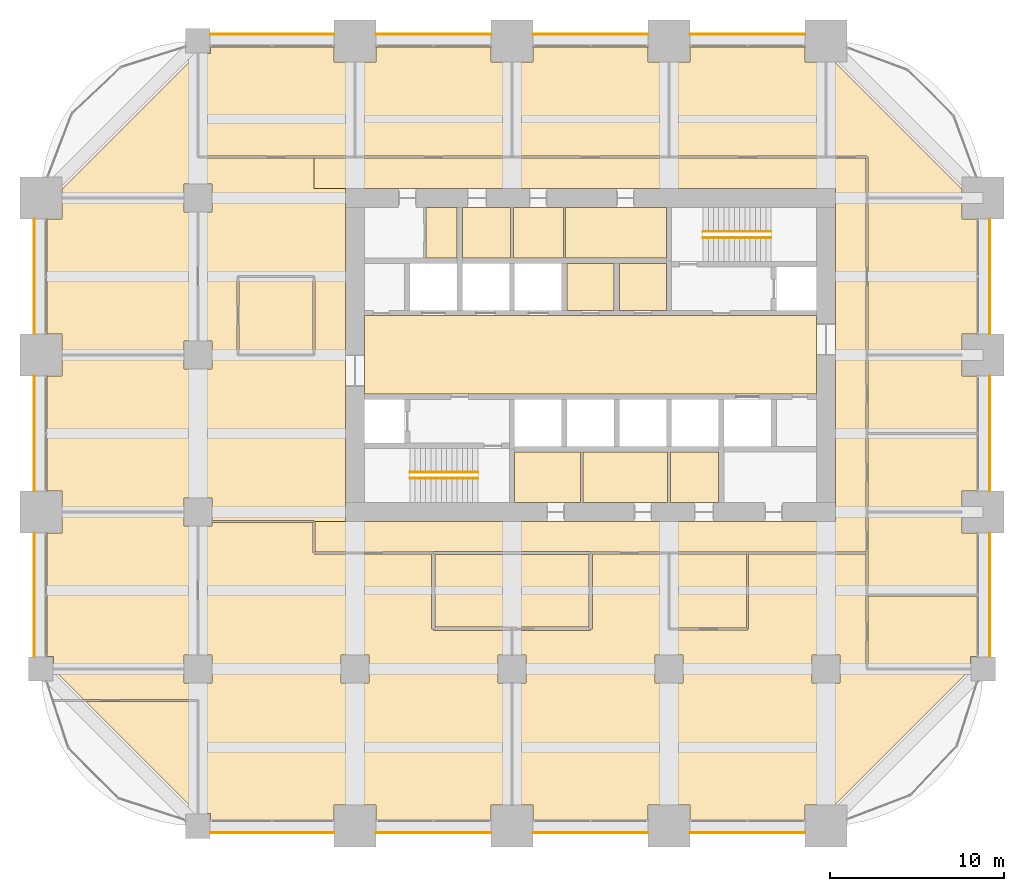
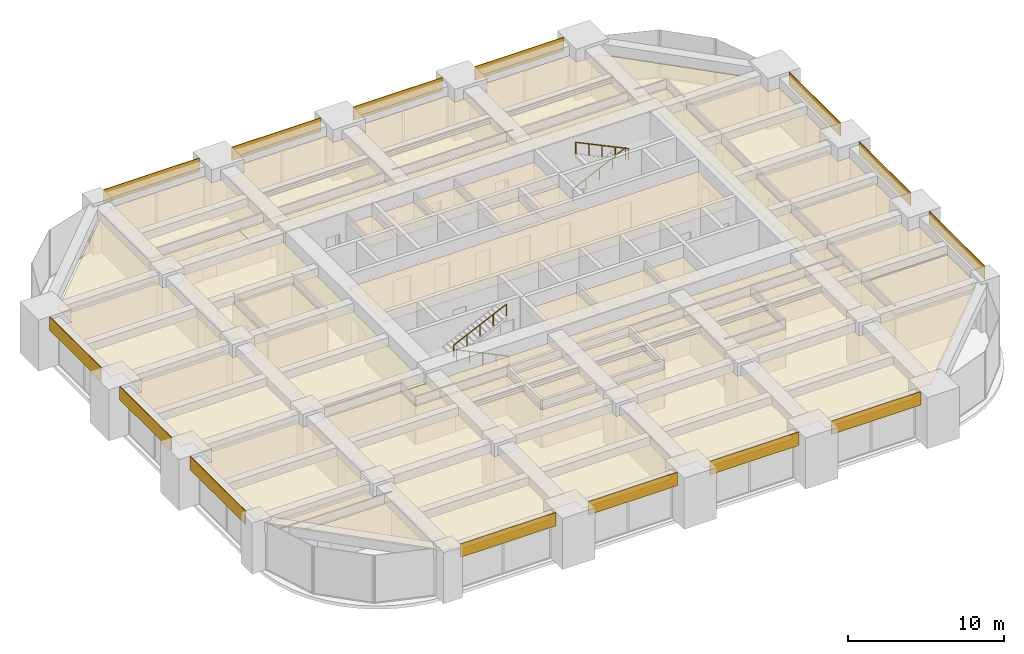
# One storey, part 32 of 32: 44 coverings, 4 railings.
"""IFC4 building model written with IfcOpenShell, lengths in metres."""

from ifc_helpers import new_model, si_unit, direction, frame, frame_2d, origin, origin_2d, place, context, subcontext, project, spatial, polyline, rectangle, circle, outline, extrude, material, layer, layer_set, type_object, element, save


model = new_model("IFC4")

# Units and contexts
model_context = context("Model", 3, precision=1e-05, world=origin(), true_north=direction((0.0, 1.0)))
body_context = subcontext(model_context, "Body", "Model", "MODEL_VIEW")
ifc_project = project(units=[si_unit("LENGTHUNIT", "METRE"), si_unit("AREAUNIT", "SQUARE_METRE"), si_unit("VOLUMEUNIT", "CUBIC_METRE"), si_unit("PLANEANGLEUNIT", "RADIAN"), si_unit("MASSUNIT", "GRAM", prefix="KILO")], contexts=[model_context])

# Site, building, storey
site_placement = place(None, origin())
site = spatial("IfcSite", under=ifc_project, at=site_placement, CompositionType="ELEMENT")
building_placement = place(site_placement, origin())
building = spatial("IfcBuilding", under=site, at=building_placement, Name="Zorevar Civic Tower", CompositionType="ELEMENT")
storey_placement = place(building_placement, frame((0.0, 0.0, 190.199951171875)))
storey = spatial("IfcBuildingStorey", under=building, at=storey_placement, Name="L46", CompositionType="ELEMENT", Elevation=190.199951171875)

# Railings
ifc_material_1 = material(Name="Black steel handrail", Category="steel")
railing_type = type_object("IfcRailingType", Name="Handrail HR1 900", PredefinedType="HANDRAIL", material=ifc_material_1)
railing_1_placement = place(storey_placement, frame((25.050048828125, 19.925048828125, 0.142822265625)))
element("IfcRailing", 1, at=railing_1_placement, inside=storey, type_object=railing_type, Name="Handrail HR1 ST1 L46", PredefinedType="HANDRAIL", context=body_context, shape_type="SweptSolid", body=[
    extrude(circle(Radius=0.02392578125, at=origin_2d()), frame((0.0, 0.0, 0.8759765625), z_axis=(-0.902863652845, 0.0, 0.429926998885), x_axis=(0.0, -1.0, 0.0)), (0.0, 0.0, 1.0), 4.31982421875),
    extrude(circle(Radius=0.02099609375, at=origin_2d()), origin(), (0.0, 0.0, 1.0), 0.851806640625),
    extrude(circle(Radius=0.02099609375, at=origin_2d()), frame((-0.97509765625, 0.0, 0.46435546875)), (0.0, 0.0, 1.0), 0.851806640625),
    extrude(circle(Radius=0.02099609375, at=origin_2d()), frame((-1.9501953125, 0.0, 0.9287109375)), (0.0, 0.0, 1.0), 0.851806640625),
    extrude(circle(Radius=0.02099609375, at=origin_2d()), frame((-2.925048828125, 0.0, 1.392822265625)), (0.0, 0.0, 1.0), 0.851806640625),
    extrude(circle(Radius=0.02099609375, at=origin_2d()), frame((-3.900146484375, 0.0, 1.857177734375)), (0.0, 0.0, 1.0), 0.851806640625),
])
for number, where, name in (
    (2, (21.14990234375, 20.27490234375, 2.142822265625), "Handrail HR1 ST1 L46"),
    (3, (37.949951171875, 34.074951171875, 0.142822265625), "Handrail HR1 ST2 L46"),
):
    element("IfcRailing", number, at=place(storey_placement, frame(where)), inside=storey, type_object=railing_type, Name=name, PredefinedType="HANDRAIL", context=body_context, shape_type="SweptSolid", body=[
        extrude(circle(Radius=0.02392578125, at=origin_2d()), frame((0.0, 0.0, 0.8759765625), z_axis=(0.902863652845, 0.0, 0.429926998885), x_axis=(0.0, 1.0, 0.0)), (0.0, 0.0, 1.0), 4.31982421875),
        extrude(circle(Radius=0.02099609375, at=origin_2d()), origin(), (0.0, 0.0, 1.0), 0.851806640625),
        extrude(circle(Radius=0.02099609375, at=origin_2d()), frame((0.97509765625, 0.0, 0.46435546875)), (0.0, 0.0, 1.0), 0.851806640625),
        extrude(circle(Radius=0.02099609375, at=origin_2d()), frame((1.9501953125, 0.0, 0.9287109375)), (0.0, 0.0, 1.0), 0.851806640625),
        extrude(circle(Radius=0.02099609375, at=origin_2d()), frame((2.925048828125, 0.0, 1.392822265625)), (0.0, 0.0, 1.0), 0.851806640625),
        extrude(circle(Radius=0.02099609375, at=origin_2d()), frame((3.900146484375, 0.0, 1.857177734375)), (0.0, 0.0, 1.0), 0.851806640625),
    ])
railing_2_placement = place(storey_placement, frame((41.85009765625, 33.72509765625, 2.142822265625)))
element("IfcRailing", 4, at=railing_2_placement, inside=storey, type_object=railing_type, Name="Handrail HR1 ST2 L46", PredefinedType="HANDRAIL", context=body_context, shape_type="SweptSolid", body=[
    extrude(circle(Radius=0.02392578125, at=origin_2d()), frame((0.0, 0.0, 0.8759765625), z_axis=(-0.902863652845, 0.0, 0.429926998885), x_axis=(0.0, -1.0, 0.0)), (0.0, 0.0, 1.0), 4.31982421875),
    extrude(circle(Radius=0.02099609375, at=origin_2d()), origin(), (0.0, 0.0, 1.0), 0.851806640625),
    extrude(circle(Radius=0.02099609375, at=origin_2d()), frame((-0.97509765625, 0.0, 0.46435546875)), (0.0, 0.0, 1.0), 0.851806640625),
    extrude(circle(Radius=0.02099609375, at=origin_2d()), frame((-1.9501953125, 0.0, 0.9287109375)), (0.0, 0.0, 1.0), 0.851806640625),
    extrude(circle(Radius=0.02099609375, at=origin_2d()), frame((-2.925048828125, 0.0, 1.392822265625)), (0.0, 0.0, 1.0), 0.851806640625),
    extrude(circle(Radius=0.02099609375, at=origin_2d()), frame((-3.900146484375, 0.0, 1.857177734375)), (0.0, 0.0, 1.0), 0.851806640625),
])

# Coverings
ifc_material_2 = material(Name="Moisture-resistant gypsum board")
ifc_layer_1 = layer(ifc_material_2, 0.012451171875)
ifc_layer_set_1 = layer_set([ifc_layer_1], Name="Moisture-resistant ceiling SC3")
covering_type_1 = type_object("IfcCoveringType", Name="Moisture-resistant ceiling SC3", PredefinedType="CEILING", material=ifc_layer_set_1)
covering_1_placement = place(storey_placement, frame((0.0, 0.0, 3.0)))
element("IfcCovering", 5, at=covering_1_placement, inside=storey, type_object=covering_type_1, Name="Ceiling L46-05", PredefinedType="CEILING", context=body_context, shape_type="SweptSolid", body=[
    extrude(outline(polyline([(30.925048828125, 18.550048828125), (30.925048828125, 21.449951171875), (27.14990234375, 21.449951171875), (27.14990234375, 18.550048828125), (30.925048828125, 18.550048828125)])), origin(), (0.0, 0.0, 1.0), 0.012451171875),
])
covering_2_placement = place(storey_placement, frame((0.0, 0.0, 3.0)))
element("IfcCovering", 6, at=covering_2_placement, inside=storey, type_object=covering_type_1, Name="Ceiling L46-06", PredefinedType="CEILING", context=body_context, shape_type="SweptSolid", body=[
    extrude(outline(polyline([(35.925048828125, 18.550048828125), (35.925048828125, 21.449951171875), (31.074951171875, 21.449951171875), (31.074951171875, 18.550048828125), (35.925048828125, 18.550048828125)])), origin(), (0.0, 0.0, 1.0), 0.012451171875),
])
covering_3_placement = place(storey_placement, frame((0.0, 0.0, 3.0)))
element("IfcCovering", 7, at=covering_3_placement, inside=storey, type_object=covering_type_1, Name="Ceiling L46-07", PredefinedType="CEILING", context=body_context, shape_type="SweptSolid", body=[
    extrude(outline(polyline([(38.85009765625, 18.550048828125), (38.85009765625, 21.449951171875), (36.074951171875, 21.449951171875), (36.074951171875, 18.550048828125), (38.85009765625, 18.550048828125)])), origin(), (0.0, 0.0, 1.0), 0.012451171875),
])
covering_4_placement = place(storey_placement, frame((0.0, 0.0, 3.0)))
element("IfcCovering", 8, at=covering_4_placement, inside=storey, type_object=covering_type_1, Name="Ceiling L46-10", PredefinedType="CEILING", context=body_context, shape_type="SweptSolid", body=[
    extrude(outline(polyline([(26.925048828125, 32.550048828125), (26.925048828125, 35.449951171875), (24.14990234375, 35.449951171875), (24.14990234375, 32.550048828125), (26.925048828125, 32.550048828125)])), origin(), (0.0, 0.0, 1.0), 0.012451171875),
])
ifc_material_3 = material(Name="Black anodised aluminium spandrel panel", Category="aluminium")
ifc_layer_2 = layer(ifc_material_3, 0.050048828125)
ifc_layer_set_2 = layer_set([ifc_layer_2], Name="Spandrel cladding SP1")
covering_type_2 = type_object("IfcCoveringType", Name="Spandrel cladding SP1", PredefinedType="CLADDING", material=ifc_layer_set_2)
covering_5_placement = place(storey_placement, frame((9.699951171875, -0.375, 2.949951171875), z_axis=(0.0, 0.0, 1.0), x_axis=(1.0, 0.0, 0.0)))
element("IfcCovering", 9, at=covering_5_placement, inside=storey, type_object=covering_type_2, Name="Spandrel cladding L47", PredefinedType="CLADDING", context=body_context, shape_type="SweptSolid", body=[
    extrude(rectangle(XDim=7.10009765625, YDim=0.050048828125, at=frame_2d((3.550048828125, 0.0))), origin(), (0.0, 0.0, 1.0), 1.050048828125),
])
for number, where, z_axis, x_axis, name in (
    (10, (19.199951171875, -0.375, 2.949951171875), (0.0, 0.0, 1.0), (1.0, 0.0, 0.0), "Spandrel cladding L47"),
    (11, (28.199951171875, -0.375, 2.949951171875), (0.0, 0.0, 1.0), (1.0, 0.0, 0.0), "Spandrel cladding L47"),
    (12, (37.199951171875, -0.375, 2.949951171875), (0.0, 0.0, 1.0), (1.0, 0.0, 0.0), "Spandrel cladding L47"),
):
    element("IfcCovering", number, at=place(storey_placement, frame(where, z_axis=z_axis, x_axis=x_axis)), inside=storey, type_object=covering_type_2, Name=name, PredefinedType="CLADDING", context=body_context, shape_type="SweptSolid", body=[
        extrude(rectangle(XDim=6.60009765625, YDim=0.050048828125, at=frame_2d((3.300048828125, 0.0))), origin(), (0.0, 0.0, 1.0), 1.050048828125),
    ])
covering_6_placement = place(storey_placement, frame((9.699951171875, 45.375, 2.949951171875), z_axis=(0.0, 0.0, 1.0), x_axis=(1.0, 0.0, 0.0)))
element("IfcCovering", 13, at=covering_6_placement, inside=storey, type_object=covering_type_2, Name="Spandrel cladding L47", PredefinedType="CLADDING", context=body_context, shape_type="SweptSolid", body=[
    extrude(rectangle(XDim=7.10009765625, YDim=0.050048828125, at=frame_2d((3.550048828125, 0.0))), origin(), (0.0, 0.0, 1.0), 1.050048828125),
])
for number, where, z_axis, x_axis, name in (
    (14, (19.199951171875, 45.375, 2.949951171875), (0.0, 0.0, 1.0), (1.0, 0.0, 0.0), "Spandrel cladding L47"),
    (15, (28.199951171875, 45.375, 2.949951171875), (0.0, 0.0, 1.0), (1.0, 0.0, 0.0), "Spandrel cladding L47"),
    (16, (37.199951171875, 45.375, 2.949951171875), (0.0, 0.0, 1.0), (1.0, 0.0, 0.0), "Spandrel cladding L47"),
):
    element("IfcCovering", number, at=place(storey_placement, frame(where, z_axis=z_axis, x_axis=x_axis)), inside=storey, type_object=covering_type_2, Name=name, PredefinedType="CLADDING", context=body_context, shape_type="SweptSolid", body=[
        extrude(rectangle(XDim=6.60009765625, YDim=0.050048828125, at=frame_2d((3.300048828125, 0.0))), origin(), (0.0, 0.0, 1.0), 1.050048828125),
    ])
covering_7_placement = place(storey_placement, frame((-0.375, 9.699951171875, 2.949951171875), z_axis=(0.0, 0.0, 1.0), x_axis=(0.0, 1.0, 0.0)))
element("IfcCovering", 17, at=covering_7_placement, inside=storey, type_object=covering_type_2, Name="Spandrel cladding L47", PredefinedType="CLADDING", context=body_context, shape_type="SweptSolid", body=[
    extrude(rectangle(XDim=7.10009765625, YDim=0.050048828125, at=frame_2d((3.550048828125, 0.0))), origin(), (0.0, 0.0, 1.0), 1.050048828125),
])
for number, where, z_axis, x_axis, name in (
    (18, (-0.375, 19.199951171875, 2.949951171875), (0.0, 0.0, 1.0), (0.0, 1.0, 0.0), "Spandrel cladding L47"),
    (19, (-0.375, 28.199951171875, 2.949951171875), (0.0, 0.0, 1.0), (0.0, 1.0, 0.0), "Spandrel cladding L47"),
):
    element("IfcCovering", number, at=place(storey_placement, frame(where, z_axis=z_axis, x_axis=x_axis)), inside=storey, type_object=covering_type_2, Name=name, PredefinedType="CLADDING", context=body_context, shape_type="SweptSolid", body=[
        extrude(rectangle(XDim=6.60009765625, YDim=0.050048828125, at=frame_2d((3.300048828125, 0.0))), origin(), (0.0, 0.0, 1.0), 1.050048828125),
    ])
covering_8_placement = place(storey_placement, frame((54.375, 9.699951171875, 2.949951171875), z_axis=(0.0, 0.0, 1.0), x_axis=(0.0, 1.0, 0.0)))
element("IfcCovering", 20, at=covering_8_placement, inside=storey, type_object=covering_type_2, Name="Spandrel cladding L47", PredefinedType="CLADDING", context=body_context, shape_type="SweptSolid", body=[
    extrude(rectangle(XDim=7.10009765625, YDim=0.050048828125, at=frame_2d((3.550048828125, 0.0))), origin(), (0.0, 0.0, 1.0), 1.050048828125),
])
for number, where, z_axis, x_axis, name in (
    (21, (54.375, 19.199951171875, 2.949951171875), (0.0, 0.0, 1.0), (0.0, 1.0, 0.0), "Spandrel cladding L47"),
    (22, (54.375, 28.199951171875, 2.949951171875), (0.0, 0.0, 1.0), (0.0, 1.0, 0.0), "Spandrel cladding L47"),
):
    element("IfcCovering", number, at=place(storey_placement, frame(where, z_axis=z_axis, x_axis=x_axis)), inside=storey, type_object=covering_type_2, Name=name, PredefinedType="CLADDING", context=body_context, shape_type="SweptSolid", body=[
        extrude(rectangle(XDim=6.60009765625, YDim=0.050048828125, at=frame_2d((3.300048828125, 0.0))), origin(), (0.0, 0.0, 1.0), 1.050048828125),
    ])
ifc_material_4 = material(Name="Mineral fibre tiles on a concealed grid")
ifc_layer_3 = layer(ifc_material_4, 0.02001953125)
ifc_layer_set_3 = layer_set([ifc_layer_3], Name="Suspended ceiling SC1")
covering_type_3 = type_object("IfcCoveringType", Name="Suspended ceiling SC1", PredefinedType="CEILING", material=ifc_layer_set_3)
covering_9_placement = place(storey_placement, frame((0.0, 0.0, 3.0)))
element("IfcCovering", 23, at=covering_9_placement, inside=storey, type_object=covering_type_3, Name="Ceiling L46-08", PredefinedType="CEILING", context=body_context, shape_type="SweptSolid", body=[
    extrude(outline(polyline([(35.85009765625, 32.550048828125), (35.85009765625, 35.449951171875), (30.06005859375, 35.449951171875), (30.06005859375, 32.550048828125), (35.85009765625, 32.550048828125)])), origin(), (0.0, 0.0, 1.0), 0.02001953125),
])
covering_10_placement = place(storey_placement, frame((0.0, 0.0, 3.0)))
element("IfcCovering", 24, at=covering_10_placement, inside=storey, type_object=covering_type_3, Name="Ceiling L46-09", PredefinedType="CEILING", context=body_context, shape_type="SweptSolid", body=[
    extrude(outline(polyline([(29.93994140625, 32.550048828125), (29.93994140625, 35.449951171875), (27.074951171875, 35.449951171875), (27.074951171875, 32.550048828125), (29.93994140625, 32.550048828125)])), origin(), (0.0, 0.0, 1.0), 0.02001953125),
])
covering_11_placement = place(storey_placement, frame((0.0, 0.0, 3.0)))
element("IfcCovering", 25, at=covering_11_placement, inside=storey, type_object=covering_type_3, Name="Ceiling L46-12", PredefinedType="CEILING", context=body_context, shape_type="SweptSolid", body=[
    extrude(outline(polyline([(23.85009765625, 32.550048828125), (23.85009765625, 35.449951171875), (22.06005859375, 35.449951171875), (22.06005859375, 32.550048828125), (23.85009765625, 32.550048828125)])), origin(), (0.0, 0.0, 1.0), 0.02001953125),
])
covering_12_placement = place(storey_placement, frame((0.0, 0.0, 3.0)))
element("IfcCovering", 26, at=covering_12_placement, inside=storey, type_object=covering_type_3, Name="Ceiling L46-16", PredefinedType="CEILING", context=body_context, shape_type="SweptSolid", body=[
    extrude(outline(polyline([(44.449951171875, 24.75), (44.449951171875, 29.25), (18.550048828125, 29.25), (18.550048828125, 24.75), (44.449951171875, 24.75)])), origin(), (0.0, 0.0, 1.0), 0.02001953125),
])
covering_13_placement = place(storey_placement, frame((0.0, 0.0, 3.0)))
element("IfcCovering", 27, at=covering_13_placement, inside=storey, type_object=covering_type_3, Name="Ceiling L46-17", PredefinedType="CEILING", context=body_context, shape_type="SweptSolid", body=[
    extrude(outline(polyline([(35.85009765625, 29.550048828125), (35.85009765625, 32.25), (33.14990234375, 32.25), (33.14990234375, 29.550048828125), (35.85009765625, 29.550048828125)])), origin(), (0.0, 0.0, 1.0), 0.02001953125),
])
covering_14_placement = place(storey_placement, frame((0.0, 0.0, 3.0)))
element("IfcCovering", 28, at=covering_14_placement, inside=storey, type_object=covering_type_3, Name="Ceiling L46-18", PredefinedType="CEILING", context=body_context, shape_type="SweptSolid", body=[
    extrude(outline(polyline([(32.85009765625, 29.550048828125), (32.85009765625, 32.25), (30.14990234375, 32.25), (30.14990234375, 29.550048828125), (32.85009765625, 29.550048828125)])), origin(), (0.0, 0.0, 1.0), 0.02001953125),
])
covering_15_placement = place(storey_placement, frame((0.0, 0.0, 3.0)))
element("IfcCovering", 29, at=covering_15_placement, inside=storey, type_object=covering_type_3, Name="Ceiling L46-19", PredefinedType="CEILING", context=body_context, shape_type="SweptSolid", body=[
    extrude(outline(polyline([(47.409912109375, 13.18994140625), (53.64990234375, 13.18994140625), (53.64990234375, 9.7099609375), (53.2900390625, 9.7099609375), (53.2900390625, 9.06005859375), (47.409912109375, 9.06005859375), (47.409912109375, 13.18994140625)])), origin(), (0.0, 0.0, 1.0), 0.02001953125),
])
covering_16_placement = place(storey_placement, frame((0.0, 0.0, 3.0)))
element("IfcCovering", 30, at=covering_16_placement, inside=storey, type_object=covering_type_3, Name="Ceiling L46-20", PredefinedType="CEILING", context=body_context, shape_type="SweptSolid", body=[
    extrude(outline(polyline([(47.409912109375, 17.93994140625), (52.7900390625, 17.93994140625), (52.7900390625, 16.7900390625), (53.64990234375, 16.7900390625), (53.64990234375, 13.31005859375), (47.409912109375, 13.31005859375), (47.409912109375, 17.93994140625)])), origin(), (0.0, 0.0, 1.0), 0.02001953125),
])
covering_17_placement = place(storey_placement, frame((0.0, 0.0, 3.0)))
element("IfcCovering", 31, at=covering_17_placement, inside=storey, type_object=covering_type_3, Name="Ceiling L46-21", PredefinedType="CEILING", context=body_context, shape_type="SweptSolid", body=[
    extrude(outline(polyline([(47.409912109375, 22.43994140625), (53.64990234375, 22.43994140625), (53.64990234375, 19.2099609375), (52.7900390625, 19.2099609375), (52.7900390625, 18.06005859375), (47.409912109375, 18.06005859375), (47.409912109375, 22.43994140625)])), origin(), (0.0, 0.0, 1.0), 0.02001953125),
])
covering_18_placement = place(storey_placement, frame((0.0, 0.0, 3.0)))
element("IfcCovering", 32, at=covering_18_placement, inside=storey, type_object=covering_type_3, Name="Ceiling L46-22", PredefinedType="CEILING", context=body_context, shape_type="SweptSolid", body=[
    extrude(outline(polyline([(47.409912109375, 26.93994140625), (52.7900390625, 26.93994140625), (52.7900390625, 25.7900390625), (53.64990234375, 25.7900390625), (53.64990234375, 22.56005859375), (47.409912109375, 22.56005859375), (47.409912109375, 26.93994140625)])), origin(), (0.0, 0.0, 1.0), 0.02001953125),
])
covering_19_placement = place(storey_placement, frame((0.0, 0.0, 3.0)))
element("IfcCovering", 33, at=covering_19_placement, inside=storey, type_object=covering_type_3, Name="Ceiling L46-23", PredefinedType="CEILING", context=body_context, shape_type="SweptSolid", body=[
    extrude(outline(polyline([(53.64990234375, 28.2099609375), (52.7900390625, 28.2099609375), (52.7900390625, 27.06005859375), (47.409912109375, 27.06005859375), (47.409912109375, 35.93994140625), (52.7900390625, 35.93994140625), (52.7900390625, 34.7900390625), (53.64990234375, 34.7900390625), (53.64990234375, 28.2099609375)])), origin(), (0.0, 0.0, 1.0), 0.02001953125),
])
covering_20_placement = place(storey_placement, frame((0.0, 0.0, 3.0)))
element("IfcCovering", 34, at=covering_20_placement, inside=storey, type_object=covering_type_3, Name="Ceiling L46-24", PredefinedType="CEILING", context=body_context, shape_type="SweptSolid", body=[
    extrude(outline(polyline([(9.7099609375, 44.2900390625), (9.7099609375, 44.64990234375), (16.7900390625, 44.64990234375), (16.7900390625, 43.7900390625), (17.93994140625, 43.7900390625), (17.93994140625, 38.409912109375), (9.06005859375, 38.409912109375), (9.06005859375, 44.2900390625), (9.7099609375, 44.2900390625)])), origin(), (0.0, 0.0, 1.0), 0.02001953125),
])
covering_21_placement = place(storey_placement, frame((0.0, 0.0, 3.0)))
element("IfcCovering", 35, at=covering_21_placement, inside=storey, type_object=covering_type_3, Name="Ceiling L46-25", PredefinedType="CEILING", context=body_context, shape_type="SweptSolid", body=[
    extrude(outline(polyline([(19.2099609375, 43.7900390625), (19.2099609375, 44.64990234375), (25.7900390625, 44.64990234375), (25.7900390625, 43.7900390625), (26.93994140625, 43.7900390625), (26.93994140625, 38.409912109375), (18.06005859375, 38.409912109375), (18.06005859375, 43.7900390625), (19.2099609375, 43.7900390625)])), origin(), (0.0, 0.0, 1.0), 0.02001953125),
])
covering_22_placement = place(storey_placement, frame((0.0, 0.0, 3.0)))
element("IfcCovering", 36, at=covering_22_placement, inside=storey, type_object=covering_type_3, Name="Ceiling L46-26", PredefinedType="CEILING", context=body_context, shape_type="SweptSolid", body=[
    extrude(outline(polyline([(37.2099609375, 43.7900390625), (37.2099609375, 44.64990234375), (43.7900390625, 44.64990234375), (43.7900390625, 43.7900390625), (44.93994140625, 43.7900390625), (44.93994140625, 38.409912109375), (36.06005859375, 38.409912109375), (36.06005859375, 43.7900390625), (37.2099609375, 43.7900390625)])), origin(), (0.0, 0.0, 1.0), 0.02001953125),
])
covering_23_placement = place(storey_placement, frame((0.0, 0.0, 3.0)))
element("IfcCovering", 37, at=covering_23_placement, inside=storey, type_object=covering_type_3, Name="Ceiling L46-27", PredefinedType="CEILING", context=body_context, shape_type="SweptSolid", body=[
    extrude(outline(polyline([(22.60009765625, 15.550048828125), (31.39990234375, 15.550048828125), (31.39990234375, 11.39990234375), (22.60009765625, 11.39990234375), (22.60009765625, 15.550048828125)])), origin(), (0.0, 0.0, 1.0), 0.02001953125),
])
covering_24_placement = place(storey_placement, frame((0.0, 0.0, 3.0)))
element("IfcCovering", 38, at=covering_24_placement, inside=storey, type_object=covering_type_3, Name="Ceiling L46-28", PredefinedType="CEILING", context=body_context, shape_type="SweptSolid", body=[
    extrude(outline(polyline([(36.06005859375, 15.590087890625), (40.43994140625, 15.590087890625), (40.43994140625, 11.360107421875), (36.06005859375, 11.360107421875), (36.06005859375, 15.590087890625)])), origin(), (0.0, 0.0, 1.0), 0.02001953125),
])
covering_25_placement = place(storey_placement, frame((0.0, 0.0, 3.0)))
element("IfcCovering", 39, at=covering_25_placement, inside=storey, type_object=covering_type_3, Name="Ceiling L46-29", PredefinedType="CEILING", context=body_context, shape_type="SweptSolid", body=[
    extrude(outline(polyline([(8.93994140625, 9.81005859375), (8.18994140625, 9.81005859375), (8.18994140625, 9.06005859375), (0.7099609375, 9.06005859375), (0.7099609375, 9.7099609375), (0.35009765625, 9.7099609375), (0.35009765625, 16.7900390625), (1.2099609375, 16.7900390625), (1.2099609375, 17.93994140625), (8.18994140625, 17.93994140625), (8.18994140625, 17.18994140625), (8.93994140625, 17.18994140625), (8.93994140625, 9.81005859375)])), origin(), (0.0, 0.0, 1.0), 0.02001953125),
])
covering_26_placement = place(storey_placement, frame((0.0, 0.0, 3.0)))
element("IfcCovering", 40, at=covering_26_placement, inside=storey, type_object=covering_type_3, Name="Ceiling L46-30", PredefinedType="CEILING", context=body_context, shape_type="SweptSolid", body=[
    extrude(outline(polyline([(8.93994140625, 27.81005859375), (8.18994140625, 27.81005859375), (8.18994140625, 27.06005859375), (1.2099609375, 27.06005859375), (1.2099609375, 28.2099609375), (0.35009765625, 28.2099609375), (0.35009765625, 34.7900390625), (1.2099609375, 34.7900390625), (1.2099609375, 35.93994140625), (8.18994140625, 35.93994140625), (8.18994140625, 35.18994140625), (8.93994140625, 35.18994140625), (8.93994140625, 27.81005859375)])), origin(), (0.0, 0.0, 1.0), 0.02001953125),
])
covering_27_placement = place(storey_placement, frame((0.0, 0.0, 3.0)))
element("IfcCovering", 41, at=covering_27_placement, inside=storey, type_object=covering_type_3, Name="Ceiling L46-31", PredefinedType="CEILING", context=body_context, shape_type="SweptSolid", body=[
    extrude(outline(polyline([(11.360107421875, 27.06005859375), (11.360107421875, 31.43994140625), (15.590087890625, 31.43994140625), (15.590087890625, 27.06005859375), (11.360107421875, 27.06005859375)])), origin(), (0.0, 0.0, 1.0), 0.02001953125),
])
covering_28_placement = place(storey_placement, frame((0.0, 0.0, 3.0)))
element("IfcCovering", 42, at=covering_28_placement, inside=storey, type_object=covering_type_3, Name="Ceiling L46-32", PredefinedType="CEILING", context=body_context, shape_type="SweptSolid", body=[
    extrude(outline(polyline([(8.949951171875, 7.14990234375), (8.949951171875, 0.757080078125), (2.55712890625, 7.14990234375), (8.949951171875, 7.14990234375)])), origin(), (0.0, 0.0, 1.0), 0.02001953125),
])
covering_29_placement = place(storey_placement, frame((0.0, 0.0, 3.0)))
element("IfcCovering", 43, at=covering_29_placement, inside=storey, type_object=covering_type_3, Name="Ceiling L46-33", PredefinedType="CEILING", context=body_context, shape_type="SweptSolid", body=[
    extrude(outline(polyline([(15.64990234375, 38.2900390625), (27.0, 38.2900390625), (27.0, 38.300048828125), (36.0, 38.300048828125), (36.0, 38.2900390625), (45.0, 38.2900390625), (45.0, 38.300048828125), (47.300048828125, 38.300048828125), (47.300048828125, 36.0), (47.2900390625, 36.0), (47.2900390625, 15.699951171875), (40.5, 15.699951171875), (40.5, 15.7099609375), (36.0, 15.7099609375), (36.0, 15.699951171875), (31.5, 15.699951171875), (31.5, 15.75), (22.5, 15.75), (22.5, 15.699951171875), (15.699951171875, 15.699951171875), (15.699951171875, 17.449951171875), (45.550048828125, 17.449951171875), (45.550048828125, 36.550048828125), (15.64990234375, 36.550048828125), (15.64990234375, 38.2900390625)])), origin(), (0.0, 0.0, 1.0), 0.02001953125),
])
covering_30_placement = place(storey_placement, frame((0.0, 0.0, 3.0)))
element("IfcCovering", 44, at=covering_30_placement, inside=storey, type_object=covering_type_3, Name="Ceiling L46-34", PredefinedType="CEILING", context=body_context, shape_type="SweptSolid", body=[
    extrude(outline(polyline([(35.93994140625, 38.39990234375), (27.06005859375, 38.39990234375), (27.06005859375, 43.7900390625), (28.2099609375, 43.7900390625), (28.2099609375, 44.64990234375), (34.7900390625, 44.64990234375), (34.7900390625, 43.7900390625), (35.93994140625, 43.7900390625), (35.93994140625, 38.39990234375)])), origin(), (0.0, 0.0, 1.0), 0.02001953125),
])
covering_31_placement = place(storey_placement, frame((0.0, 0.0, 3.0)))
element("IfcCovering", 45, at=covering_31_placement, inside=storey, type_object=covering_type_3, Name="Ceiling L46-35", PredefinedType="CEILING", context=body_context, shape_type="SweptSolid", body=[
    extrude(outline(polyline([(47.3505859375, 38.40087890625), (45.06103515625, 38.40087890625), (45.06103515625, 43.7900390625), (45.5029296875, 43.7900390625), (52.7900390625, 36.5029296875), (52.7900390625, 36.06005859375), (47.39990234375, 36.06005859375), (47.40087890625, 38.35009765625), (47.35107421875, 38.35107421875), (47.3505859375, 38.40087890625)])), origin(), (0.0, 0.0, 1.0), 0.02001953125),
])
covering_32_placement = place(storey_placement, frame((0.0, 0.0, 3.0)))
element("IfcCovering", 46, at=covering_32_placement, inside=storey, type_object=covering_type_3, Name="Ceiling L46-36", PredefinedType="CEILING", context=body_context, shape_type="SweptSolid", body=[
    extrude(outline(polyline([(22.39990234375, 11.300048828125), (22.5, 11.300048828125), (22.5, 11.199951171875), (26.949951171875, 11.199951171875), (26.949951171875, 9.81005859375), (26.18994140625, 9.81005859375), (26.18994140625, 8.18994140625), (26.949951171875, 8.18994140625), (26.949951171875, 1.2099609375), (25.7900390625, 1.2099609375), (25.7900390625, 0.35009765625), (19.2099609375, 0.35009765625), (19.2099609375, 1.2099609375), (16.7900390625, 1.2099609375), (16.7900390625, 0.35009765625), (9.7099609375, 0.35009765625), (9.7099609375, 0.7099609375), (9.050048828125, 0.7099609375), (9.050048828125, 7.199951171875), (9.0, 7.199951171875), (9.0, 7.25), (2.45703125, 7.25), (0.76708984375, 8.93994140625), (8.18994140625, 8.93994140625), (8.18994140625, 8.18994140625), (9.81005859375, 8.18994140625), (9.81005859375, 9.81005859375), (9.06005859375, 9.81005859375), (9.06005859375, 17.18994140625), (9.81005859375, 17.18994140625), (9.81005859375, 17.39990234375), (15.60009765625, 17.39990234375), (15.60009765625, 15.64990234375), (15.64990234375, 15.64990234375), (15.64990234375, 15.60009765625), (22.39990234375, 15.60009765625), (22.39990234375, 11.300048828125)]), holes=[polyline([(18.81005859375, 8.18994140625), (18.81005859375, 9.81005859375), (17.18994140625, 9.81005859375), (17.18994140625, 8.18994140625), (18.81005859375, 8.18994140625)])]), origin(), (0.0, 0.0, 1.0), 0.02001953125),
])
covering_33_placement = place(storey_placement, frame((0.0, 0.0, 3.0)))
element("IfcCovering", 47, at=covering_33_placement, inside=storey, type_object=covering_type_3, Name="Ceiling L46-37", PredefinedType="CEILING", context=body_context, shape_type="SweptSolid", body=[
    extrude(outline(polyline([(47.35009765625, 9.0), (47.35009765625, 8.93994140625), (53.23291015625, 8.93994140625), (45.5029296875, 1.2099609375), (43.7900390625, 1.2099609375), (43.7900390625, 0.35009765625), (37.2099609375, 0.35009765625), (37.2099609375, 1.2099609375), (34.7900390625, 1.2099609375), (34.7900390625, 0.35009765625), (28.2099609375, 0.35009765625), (28.2099609375, 1.2099609375), (27.050048828125, 1.2099609375), (27.050048828125, 8.18994140625), (27.81005859375, 8.18994140625), (27.81005859375, 9.81005859375), (27.050048828125, 9.81005859375), (27.050048828125, 11.199951171875), (31.5, 11.199951171875), (31.5, 11.300048828125), (31.60009765625, 11.300048828125), (31.60009765625, 15.60009765625), (35.93994140625, 15.60009765625), (35.93994140625, 11.300048828125), (36.0, 11.300048828125), (36.0, 11.239990234375), (40.5, 11.239990234375), (40.5, 11.300048828125), (40.56005859375, 11.300048828125), (40.56005859375, 15.60009765625), (47.2900390625, 15.60009765625), (47.2900390625, 9.0), (47.35009765625, 9.0)]), holes=[polyline([(36.81005859375, 9.81005859375), (35.18994140625, 9.81005859375), (35.18994140625, 8.18994140625), (36.81005859375, 8.18994140625), (36.81005859375, 9.81005859375)]), polyline([(44.18994140625, 8.18994140625), (45.81005859375, 8.18994140625), (45.81005859375, 9.81005859375), (44.18994140625, 9.81005859375), (44.18994140625, 8.18994140625)])]), origin(), (0.0, 0.0, 1.0), 0.02001953125),
])
covering_34_placement = place(storey_placement, frame((0.0, 0.0, 3.0)))
element("IfcCovering", 48, at=covering_34_placement, inside=storey, type_object=covering_type_3, Name="Ceiling L46-38", PredefinedType="CEILING", context=body_context, shape_type="SweptSolid", body=[
    extrude(outline(polyline([(8.93994140625, 38.35107421875), (9.0, 38.35009765625), (9.000244140625, 38.290283203125), (15.64990234375, 38.2900390625), (15.650390625, 36.54931640625), (17.448974609375, 36.549072265625), (17.448974609375, 17.450927734375), (15.65087890625, 17.450927734375), (15.64990234375, 17.5009765625), (9.81005859375, 17.5009765625), (9.81005859375, 18.81005859375), (8.18994140625, 18.81005859375), (8.18994140625, 18.06103515625), (1.2099609375, 18.06103515625), (1.2099609375, 19.2099609375), (0.35107421875, 19.2099609375), (0.35107421875, 25.7900390625), (1.2099609375, 25.7900390625), (1.2099609375, 26.93896484375), (8.18994140625, 26.93896484375), (8.18994140625, 26.18994140625), (9.81005859375, 26.18994140625), (9.81005859375, 27.81005859375), (9.06103515625, 27.81005859375), (9.06103515625, 35.18994140625), (9.81005859375, 35.18994140625), (9.81005859375, 36.81005859375), (8.18994140625, 36.81005859375), (8.18994140625, 36.06103515625), (1.2099609375, 36.06103515625), (1.2099609375, 36.5029296875), (8.93994140625, 44.23291015625), (8.93994140625, 38.35107421875)]), holes=[polyline([(15.650634765625, 31.560791015625), (11.300048828125, 31.56103515625), (11.299072265625, 31.5009765625), (11.2392578125, 31.500732421875), (11.2392578125, 26.999267578125), (11.299072265625, 26.9990234375), (11.300048828125, 26.93896484375), (15.64990234375, 26.93896484375), (15.65087890625, 26.9990234375), (15.710693359375, 26.999267578125), (15.7109375, 31.5), (15.65087890625, 31.5009765625), (15.650634765625, 31.560791015625)])]), origin(), (0.0, 0.0, 1.0), 0.02001953125),
])

save(model, "model.ifc")
